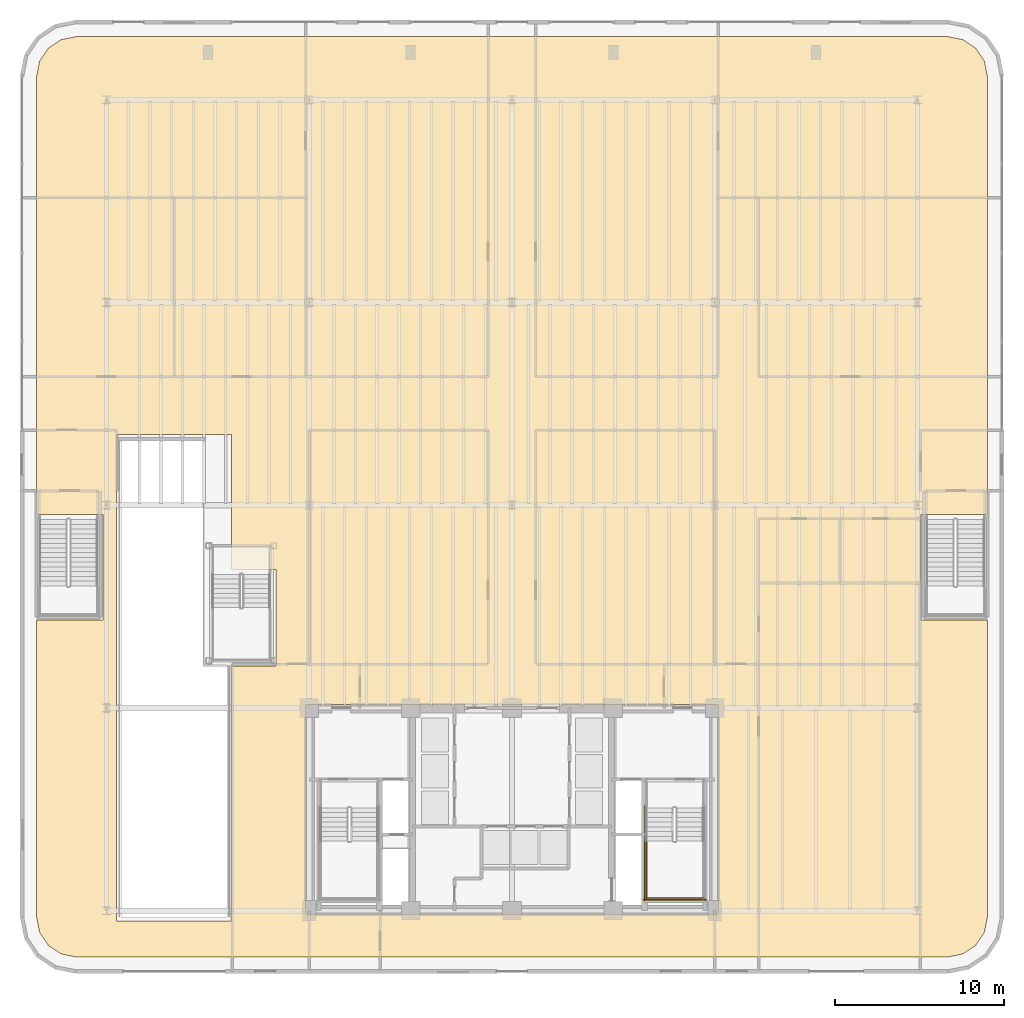
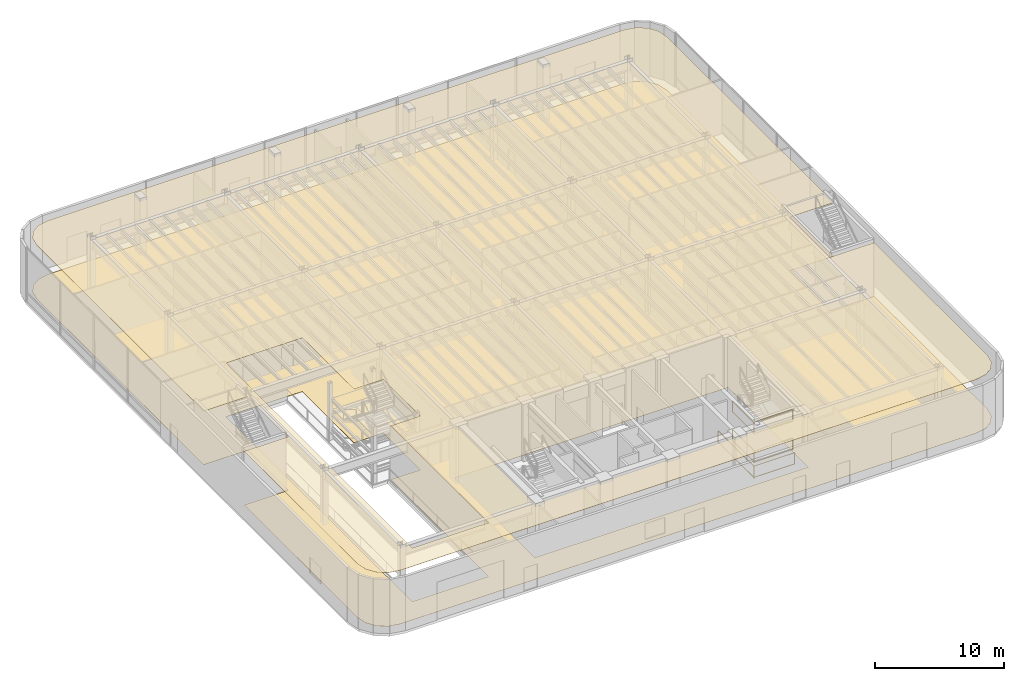
# One storey, part 15 of 17: 6 railings, 2 coverings.
"""IFC4 building model written with IfcOpenShell, lengths in metres."""

from ifc_helpers import new_model, si_unit, direction, frame, origin, origin_2d, place, context, subcontext, project, spatial, polyline, rectangle, outline, extrude, material, layer, layer_set, type_object, element, save


model = new_model("IFC4")

# Units and contexts
model_context = context("Model", 3, precision=1e-05, world=origin(), true_north=direction((0.0, 1.0)))
body_context = subcontext(model_context, "Body", "Model", "MODEL_VIEW")
ifc_project = project(units=[si_unit("LENGTHUNIT", "METRE"), si_unit("AREAUNIT", "SQUARE_METRE"), si_unit("VOLUMEUNIT", "CUBIC_METRE"), si_unit("PLANEANGLEUNIT", "RADIAN"), si_unit("MASSUNIT", "GRAM", prefix="KILO")], contexts=[model_context])

# Site, building, storey
site_placement = place(None, origin())
site = spatial("IfcSite", under=ifc_project, at=site_placement, CompositionType="ELEMENT")
building_placement = place(site_placement, origin())
building = spatial("IfcBuilding", under=site, at=building_placement, Name="Brelvock Crest Care Tower", CompositionType="ELEMENT")
storey_placement = place(building_placement, origin())
storey = spatial("IfcBuildingStorey", under=building, at=storey_placement, Name="L00", CompositionType="ELEMENT", Elevation=0.0)

# Coverings
ifc_material_1 = material(Name="Mineral Fibre Acoustic Ceiling Tile", Category="gypsum")
ifc_layer_1 = layer(ifc_material_1, 0.02490234375, Name="COV-CLG1")
ifc_layer_set_1 = layer_set([ifc_layer_1], Name="Mineral Fibre Acoustic Ceiling Tile")
covering_type_1 = type_object("IfcCoveringType", Name="COV-CLG1", PredefinedType="CEILING", material=ifc_layer_set_1)
covering_1_placement = place(storey_placement, frame((0.0, 0.0, 5.06494140625)))
element("IfcCovering", 1, at=covering_1_placement, inside=storey, type_object=covering_type_1, Name="L00 Acoustic Suspended Ceiling 1", PredefinedType="CEILING", context=body_context, shape_type="SweptSolid", body=[
    extrude(outline(polyline([(61.71630859375, 3.25), (62.69287109375, 3.4443359375), (63.449951171875, 3.9501953125), (63.955810546875, 4.70703125), (64.14990234375, 5.68359375), (64.14990234375, 23.199951171875), (60.2099609375, 23.199951171875), (60.2099609375, 29.449951171875), (64.14990234375, 29.449951171875), (64.14990234375, 55.31640625), (63.955810546875, 56.29296875), (63.449951171875, 57.0498046875), (62.69287109375, 57.5556640625), (61.71630859375, 57.75), (10.28369140625, 57.75), (9.30712890625, 57.5556640625), (8.550048828125, 57.0498046875), (8.044189453125, 56.29296875), (7.85009765625, 55.31640625), (7.85009765625, 29.449951171875), (11.7900390625, 29.449951171875), (11.7900390625, 23.199951171875), (7.85009765625, 23.199951171875), (7.85009765625, 5.68359375), (8.044189453125, 4.70703125), (8.550048828125, 3.9501953125), (9.30712890625, 3.4443359375), (10.28369140625, 3.25), (61.71630859375, 3.25)]), holes=[polyline([(12.60009765625, 5.39990234375), (19.39990234375, 5.39990234375), (19.39990234375, 20.5), (22.02001953125, 20.5), (22.02001953125, 26.199951171875), (19.39990234375, 26.199951171875), (19.39990234375, 34.199951171875), (12.60009765625, 34.199951171875), (12.60009765625, 5.39990234375)]), polyline([(23.800048828125, 5.800048828125), (48.199951171875, 5.800048828125), (48.199951171875, 18.199951171875), (23.800048828125, 18.199951171875), (23.800048828125, 5.800048828125)])]), origin(), (0.0, 0.0, 1.0), 0.025146484375),
])
ifc_material_2 = material(Name="Slip-Resistant Acoustic Vinyl Flooring", Category="finish")
ifc_layer_2 = layer(ifc_material_2, 0.014892578125, Name="COV-FLR1")
ifc_layer_set_2 = layer_set([ifc_layer_2], Name="Slip-Resistant Acoustic Vinyl Flooring")
covering_type_2 = type_object("IfcCoveringType", Name="COV-FLR1", PredefinedType="FLOORING", material=ifc_layer_set_2)
covering_2_placement = place(storey_placement, origin())
element("IfcCovering", 2, at=covering_2_placement, inside=storey, type_object=covering_type_2, Name="L00 Slip-Resistant Acoustic Flooring 1", PredefinedType="FLOORING", context=body_context, shape_type="SweptSolid", body=[
    extrude(outline(polyline([(61.71630859375, 3.25), (62.69287109375, 3.4443359375), (63.449951171875, 3.9501953125), (63.955810546875, 4.70703125), (64.14990234375, 5.68359375), (64.14990234375, 23.199951171875), (60.2099609375, 23.199951171875), (60.2099609375, 29.449951171875), (64.14990234375, 29.449951171875), (64.14990234375, 55.31640625), (63.955810546875, 56.29296875), (63.449951171875, 57.0498046875), (62.69287109375, 57.5556640625), (61.71630859375, 57.75), (10.28369140625, 57.75), (9.30712890625, 57.5556640625), (8.550048828125, 57.0498046875), (8.044189453125, 56.29296875), (7.85009765625, 55.31640625), (7.85009765625, 29.449951171875), (11.7900390625, 29.449951171875), (11.7900390625, 23.199951171875), (7.85009765625, 23.199951171875), (7.85009765625, 5.68359375), (8.044189453125, 4.70703125), (8.550048828125, 3.9501953125), (9.30712890625, 3.4443359375), (10.28369140625, 3.25), (61.71630859375, 3.25)]), holes=[polyline([(12.60009765625, 5.39990234375), (19.39990234375, 5.39990234375), (19.39990234375, 20.5), (22.02001953125, 20.5), (22.02001953125, 26.199951171875), (19.39990234375, 26.199951171875), (19.39990234375, 34.199951171875), (12.60009765625, 34.199951171875), (12.60009765625, 5.39990234375)]), polyline([(23.800048828125, 5.800048828125), (48.199951171875, 5.800048828125), (48.199951171875, 18.199951171875), (23.800048828125, 18.199951171875), (23.800048828125, 5.800048828125)])]), origin(), (0.0, 0.0, 1.0), 0.014892578125),
])

# Railings
ifc_material_3 = material(Name="Steel Grade 350", Category="steel")
ifc_layer_3 = layer(ifc_material_3, 0.050048828125, Name="RL-STG1")
ifc_layer_set_3 = layer_set([ifc_layer_3], Name="Steel Grade 350")
railing_type = type_object("IfcRailingType", Name="RL-STG1", PredefinedType="GUARDRAIL", material=ifc_layer_set_3)
railing_1_placement = place(storey_placement, frame((43.93994140625, 10.1201171875, 1.35009765625)))
element("IfcRailing", 3, at=railing_1_placement, inside=storey, type_object=railing_type, Name="L00 ST-2 stair guard 3", PredefinedType="GUARDRAIL", context=body_context, shape_type="SweptSolid", body=[
    extrude(rectangle(XDim=0.048095703125, YDim=0.048095703125, at=origin_2d()), frame((0.0, -0.001953125, 1.11572265625), z_axis=(0.0, -1.0, 0.0), x_axis=(1.0, 0.0, 0.0)), (0.0, 0.0, 1.0), 3.416259765625),
    extrude(rectangle(XDim=0.048095703125, YDim=0.048095703125, at=origin_2d()), frame((0.0, -0.001953125, 0.054931640625), z_axis=(0.0, -1.0, 0.0), x_axis=(1.0, 0.0, 0.0)), (0.0, 0.0, 1.0), 3.416259765625),
    extrude(rectangle(XDim=0.0419921875, YDim=0.0419921875, at=origin_2d()), origin(), (0.0, 0.0, 1.0), 1.08984375),
    extrude(rectangle(XDim=0.0419921875, YDim=0.0419921875, at=origin_2d()), frame((0.0, -3.420166015625, 0.0)), (0.0, 0.0, 1.0), 1.08984375),
])
railing_2_placement = place(storey_placement, frame((43.889892578125, 6.75, 1.35009765625)))
element("IfcRailing", 4, at=railing_2_placement, inside=storey, type_object=railing_type, Name="L00 ST-2 stair guard 5", PredefinedType="GUARDRAIL", context=body_context, shape_type="SweptSolid", body=[
    extrude(rectangle(XDim=0.048095703125, YDim=0.048095703125, at=origin_2d()), frame((0.001953125, 0.0, 1.11572265625), z_axis=(1.0, 0.0, 0.0), x_axis=(0.0, 1.0, 0.0)), (0.0, 0.0, 1.0), 3.476318359375),
    extrude(rectangle(XDim=0.048095703125, YDim=0.048095703125, at=origin_2d()), frame((0.001953125, 0.0, 0.054931640625), z_axis=(1.0, 0.0, 0.0), x_axis=(0.0, 1.0, 0.0)), (0.0, 0.0, 1.0), 3.476318359375),
    extrude(rectangle(XDim=0.0419921875, YDim=0.0419921875, at=origin_2d()), origin(), (0.0, 0.0, 1.0), 1.08984375),
    extrude(rectangle(XDim=0.0419921875, YDim=0.0419921875, at=origin_2d()), frame((3.480224609375, 0.0, 0.0)), (0.0, 0.0, 1.0), 1.08984375),
])
railing_3_placement = place(storey_placement, frame((43.93994140625, 10.1201171875, 4.050048828125)))
element("IfcRailing", 5, at=railing_3_placement, inside=storey, type_object=railing_type, Name="L00 ST-2 stair guard 12", PredefinedType="GUARDRAIL", context=body_context, shape_type="SweptSolid", body=[
    extrude(rectangle(XDim=0.048095703125, YDim=0.048095703125, at=origin_2d()), frame((0.0, -0.001953125, 1.11572265625), z_axis=(0.0, -1.0, 0.0), x_axis=(1.0, 0.0, 0.0)), (0.0, 0.0, 1.0), 3.416259765625),
    extrude(rectangle(XDim=0.048095703125, YDim=0.048095703125, at=origin_2d()), frame((0.0, -0.001953125, 0.054931640625), z_axis=(0.0, -1.0, 0.0), x_axis=(1.0, 0.0, 0.0)), (0.0, 0.0, 1.0), 3.416259765625),
    extrude(rectangle(XDim=0.0419921875, YDim=0.0419921875, at=origin_2d()), origin(), (0.0, 0.0, 1.0), 1.08984375),
    extrude(rectangle(XDim=0.0419921875, YDim=0.0419921875, at=origin_2d()), frame((0.0, -3.420166015625, 0.0)), (0.0, 0.0, 1.0), 1.08984375),
])
railing_4_placement = place(storey_placement, frame((43.889892578125, 6.75, 4.050048828125)))
element("IfcRailing", 6, at=railing_4_placement, inside=storey, type_object=railing_type, Name="L00 ST-2 stair guard 14", PredefinedType="GUARDRAIL", context=body_context, shape_type="SweptSolid", body=[
    extrude(rectangle(XDim=0.048095703125, YDim=0.048095703125, at=origin_2d()), frame((0.001953125, 0.0, 1.11572265625), z_axis=(1.0, 0.0, 0.0), x_axis=(0.0, 1.0, 0.0)), (0.0, 0.0, 1.0), 3.476318359375),
    extrude(rectangle(XDim=0.048095703125, YDim=0.048095703125, at=origin_2d()), frame((0.001953125, 0.0, 0.054931640625), z_axis=(1.0, 0.0, 0.0), x_axis=(0.0, 1.0, 0.0)), (0.0, 0.0, 1.0), 3.476318359375),
    extrude(rectangle(XDim=0.0419921875, YDim=0.0419921875, at=origin_2d()), origin(), (0.0, 0.0, 1.0), 1.08984375),
    extrude(rectangle(XDim=0.0419921875, YDim=0.0419921875, at=origin_2d()), frame((3.480224609375, 0.0, 0.0)), (0.0, 0.0, 1.0), 1.08984375),
])
railing_5_placement = place(storey_placement, frame((43.840087890625, 12.179931640625, 0.0)))
element("IfcRailing", 7, at=railing_5_placement, inside=storey, type_object=railing_type, Name="L00 ST-2 stair guard 19", PredefinedType="GUARDRAIL", context=body_context, shape_type="SweptSolid", body=[
    extrude(rectangle(XDim=0.048095703125, YDim=0.048095703125, at=origin_2d()), frame((0.0, -0.001953125, 1.11572265625), z_axis=(0.0, -1.0, 0.0), x_axis=(1.0, 0.0, 0.0)), (0.0, 0.0, 1.0), 5.575927734375),
    extrude(rectangle(XDim=0.048095703125, YDim=0.048095703125, at=origin_2d()), frame((0.0, -0.001953125, 0.054931640625), z_axis=(0.0, -1.0, 0.0), x_axis=(1.0, 0.0, 0.0)), (0.0, 0.0, 1.0), 5.575927734375),
    extrude(rectangle(XDim=0.0419921875, YDim=0.0419921875, at=origin_2d()), origin(), (0.0, 0.0, 1.0), 1.08984375),
    extrude(rectangle(XDim=0.0419921875, YDim=0.0419921875, at=origin_2d()), frame((0.0, -2.7900390625, 0.0)), (0.0, 0.0, 1.0), 1.08984375),
    extrude(rectangle(XDim=0.0419921875, YDim=0.0419921875, at=origin_2d()), frame((0.0, -5.579833984375, 0.0)), (0.0, 0.0, 1.0), 1.08984375),
])
railing_6_placement = place(storey_placement, frame((43.7900390625, 6.64990234375, 0.0)))
element("IfcRailing", 8, at=railing_6_placement, inside=storey, type_object=railing_type, Name="L00 ST-2 stair guard 21", PredefinedType="GUARDRAIL", context=body_context, shape_type="SweptSolid", body=[
    extrude(rectangle(XDim=0.048095703125, YDim=0.048095703125, at=origin_2d()), frame((0.001953125, 0.0, 1.11572265625), z_axis=(1.0, 0.0, 0.0), x_axis=(0.0, 1.0, 0.0)), (0.0, 0.0, 1.0), 3.676025390625),
    extrude(rectangle(XDim=0.048095703125, YDim=0.048095703125, at=origin_2d()), frame((0.001953125, 0.0, 0.054931640625), z_axis=(1.0, 0.0, 0.0), x_axis=(0.0, 1.0, 0.0)), (0.0, 0.0, 1.0), 3.676025390625),
    extrude(rectangle(XDim=0.0419921875, YDim=0.0419921875, at=origin_2d()), origin(), (0.0, 0.0, 1.0), 1.08984375),
    extrude(rectangle(XDim=0.0419921875, YDim=0.0419921875, at=origin_2d()), frame((3.679931640625, 0.0, 0.0)), (0.0, 0.0, 1.0), 1.08984375),
])

save(model, "model.ifc")
